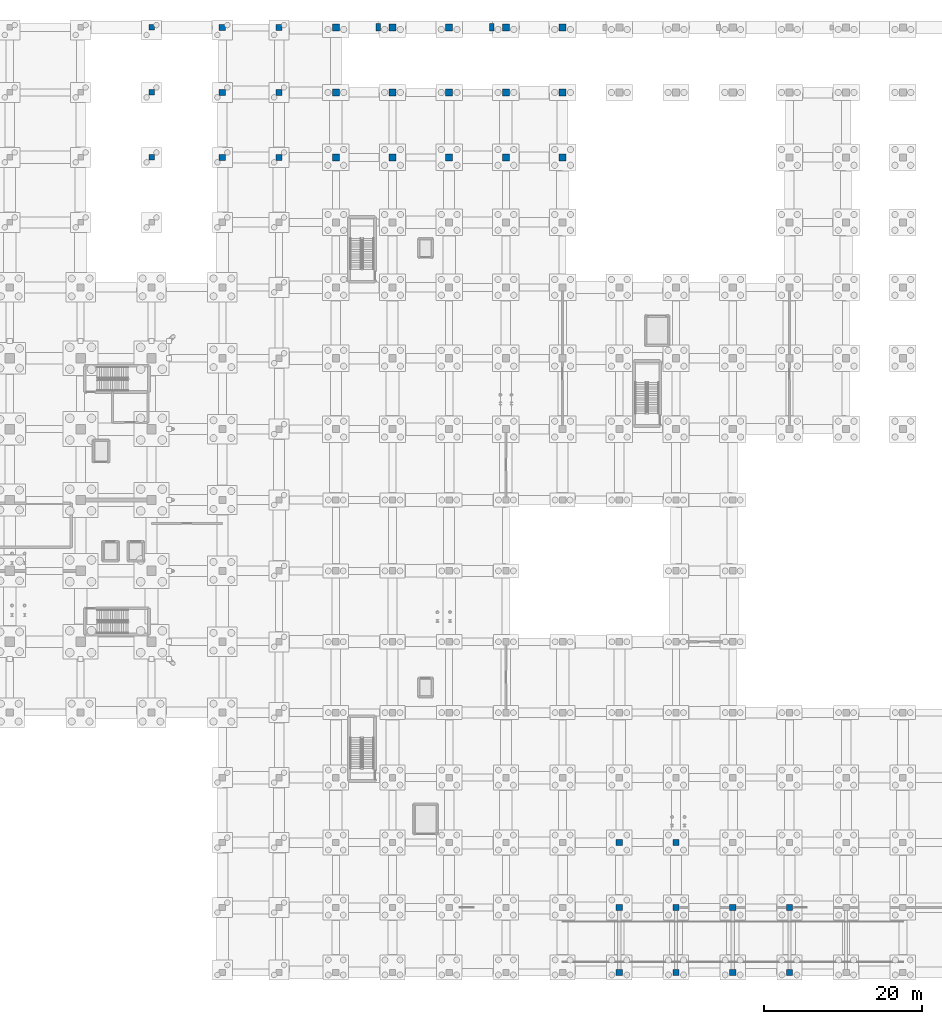
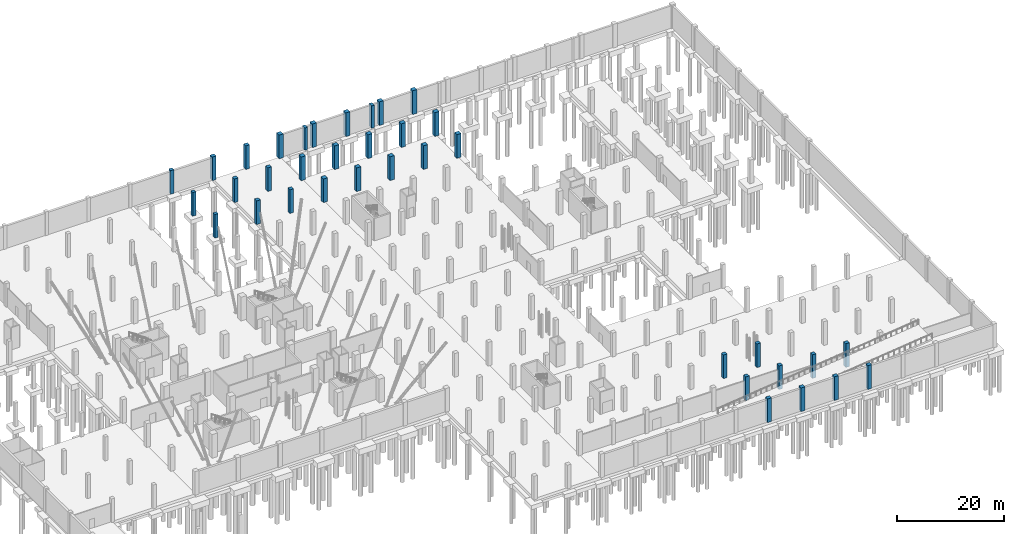
# One storey, part 18 of 42: 36 columns.
"""IFC4 building model written with IfcOpenShell, lengths in metres."""

import ifcopenshell
import ifcopenshell.guid

model = None  # the IFC model being written
_history = None  # IfcOwnerHistory: only IFC2X3 demands one
_inside = {}  # id of a spatial element -> (the spatial element, [elements in it])
_under = {}  # id of a project, library or spatial element -> (it, [spatial elements below it])
_declared = {}  # id of a project -> (the project, [libraries it declares])
_typed = {}  # id of a type object -> (the type object, [elements of that type])
_made_of = {}  # id of a material, layer set ... -> (it, [elements and type objects made of it])


def new_model(schema):
    """Start an empty IFC model of exactly this schema.

    Asked for "IFC4X3", IfcOpenShell would pick the latest addendum, in which some entities
    have other attributes; the version numbers below select the first issue.
    IFC2X3 requires an IfcOwnerHistory on every rooted entity: one is made here for all.
    """
    global model, _history
    if schema == "IFC4X3":
        model = ifcopenshell.file(schema_version=(4, 3, 0, 0))
    else:
        model = ifcopenshell.file(schema=schema)
    _inside.clear()
    _under.clear()
    _declared.clear()
    _typed.clear()
    _made_of.clear()
    _history = None
    if model.schema == "IFC2X3":
        org = make("IfcOrganization", Name="unknown")
        user = make(
            "IfcPersonAndOrganization",
            ThePerson=make("IfcPerson", FamilyName="unknown"),
            TheOrganization=org,
        )
        app = make(
            "IfcApplication",
            ApplicationDeveloper=org,
            Version="unknown",
            ApplicationFullName="unknown",
            ApplicationIdentifier="unknown",
        )
        _history = make(
            "IfcOwnerHistory",
            OwningUser=user,
            OwningApplication=app,
            ChangeAction="ADDED",
            CreationDate=0,
        )
    return model


def make(cls, **values):
    """One entity of the class cls with the attributes given. An attribute that is None is left unset."""
    return model.create_entity(
        cls, **{name: value for name, value in values.items() if value is not None}
    )


def rooted(cls, **values):
    """An entity with a GlobalId (a new one), such as an element, a storey or a relation."""
    return make(cls, GlobalId=ifcopenshell.guid.new(), OwnerHistory=_history, **values)


def si_unit(unit_type, name, prefix=None):
    """IfcSIUnit, for example si_unit("LENGTHUNIT", "METRE", prefix="MILLI")."""
    return make("IfcSIUnit", UnitType=unit_type, Prefix=prefix, Name=name)


def assignment(units):
    """IfcUnitAssignment: the units of a project."""
    return None if units is None else make("IfcUnitAssignment", Units=units)


def point(xyz):
    """IfcCartesianPoint."""
    return None if xyz is None else make("IfcCartesianPoint", Coordinates=xyz)


def direction(xyz):
    """IfcDirection."""
    return None if xyz is None else make("IfcDirection", DirectionRatios=xyz)


def frame(location, z_axis=None, x_axis=None):
    """IfcAxis2Placement3D, a coordinate frame: its origin and axes. An axis left out is left unset."""
    return make(
        "IfcAxis2Placement3D",
        Location=point(location),
        Axis=direction(z_axis),
        RefDirection=direction(x_axis),
    )


def frame_2d(location, x_axis=None):
    """IfcAxis2Placement2D, a coordinate frame in the plane: its origin and x axis."""
    return make(
        "IfcAxis2Placement2D", Location=point(location), RefDirection=direction(x_axis)
    )


def origin():
    """The frame at (0, 0, 0) with its axes left unset."""
    return frame((0.0, 0.0, 0.0))


def origin_2d():
    """The frame at (0, 0) in the plane with its x axis left unset."""
    return frame_2d((0.0, 0.0))


def place(relative_to, where):
    """IfcLocalPlacement: puts the frame where relative to a parent placement (None: the world)."""
    return make(
        "IfcLocalPlacement", PlacementRelTo=relative_to, RelativePlacement=where
    )


def context(
    kind, dimensions, precision=None, world=None, true_north=None, identifier=None
):
    """IfcGeometricRepresentationContext, for example the 3D "Model" context."""
    return make(
        "IfcGeometricRepresentationContext",
        ContextIdentifier=identifier,
        ContextType=kind,
        CoordinateSpaceDimension=dimensions,
        Precision=precision,
        WorldCoordinateSystem=world,
        TrueNorth=true_north,
    )


def subcontext(parent, identifier, kind, view, scale=None):
    """IfcGeometricRepresentationSubContext, for example "Body" below "Model"."""
    return make(
        "IfcGeometricRepresentationSubContext",
        ContextIdentifier=identifier,
        ContextType=kind,
        ParentContext=parent,
        TargetScale=scale,
        TargetView=view,
    )


def project(units=None, contexts=None):
    """IfcProject with its units and contexts."""
    return rooted(
        "IfcProject",
        Name="project",
        RepresentationContexts=contexts,
        UnitsInContext=assignment(units),
    )


def spatial(cls, under=None, at=None, **own):
    """A site, building, storey or space (cls), placed at a placement, below another one or the project."""
    s = rooted(cls, ObjectPlacement=at, **own)
    if under is not None:
        _under.setdefault(under.id(), (under, []))[1].append(s)
    return s


def profile(cls, at=None, kind="AREA", **sizes):
    """A parametric profile (cls). Its sizes go by their IFC names, for example OverallWidth=200.0."""
    return make(cls, ProfileType=kind, Position=at, **sizes)


def rectangle(**sizes):
    """IfcRectangleProfileDef."""
    return profile("IfcRectangleProfileDef", **sizes)


def extrude(swept, where, along, depth):
    """IfcExtrudedAreaSolid: the profile swept, set in the frame where, extruded along a direction by depth."""
    return make(
        "IfcExtrudedAreaSolid",
        SweptArea=swept,
        Position=where,
        ExtrudedDirection=direction(along),
        Depth=depth,
    )


def shape(context_of_items, identifier, shape_type, items):
    """IfcShapeRepresentation: the items that make up one representation, for example the "Body"."""
    return make(
        "IfcShapeRepresentation",
        ContextOfItems=context_of_items,
        RepresentationIdentifier=identifier,
        RepresentationType=shape_type,
        Items=items,
    )


def material(Name=None, Category=None):
    """IfcMaterial."""
    return make("IfcMaterial", Name=Name, Category=Category)


def material_profile(
    of_material, cross_section, Name=None, Category=None, Priority=None
):
    """IfcMaterialProfile: a cross section and its material."""
    return make(
        "IfcMaterialProfile",
        Name=Name,
        Material=of_material,
        Profile=cross_section,
        Priority=Priority,
        Category=Category,
    )


def profile_set(profiles, Name=None, composite=None):
    """IfcMaterialProfileSet."""
    return make(
        "IfcMaterialProfileSet",
        Name=Name,
        MaterialProfiles=profiles,
        CompositeProfile=composite,
    )


def made_of(thing, what):
    """Note that an element or type object is made of a material, layer set ...; save() writes the relation."""
    if what is not None:
        _made_of.setdefault(what.id(), (what, []))[1].append(thing)
    return thing


def type_object(cls, material=None, **own):
    """A type object (cls), such as IfcWallType, which elements share."""
    return made_of(rooted(cls, **own), material)


def element(
    cls,
    number,
    at=None,
    inside=None,
    cuts=None,
    type_object=None,
    material=None,
    context=None,
    identifier="Body",
    shape_type=None,
    held_by="IfcProductDefinitionShape",
    body=None,
    shapes=None,
    **own,
):
    """One element of the class cls, such as IfcWall. Its Tag is "e" and its number.

    at: its placement. inside: the storey or other place that contains it. cuts: it is an
    opening in that element (IfcRelVoidsElement). A single representation is given by context,
    identifier, shape_type and body (its items); several are given by shapes. held_by: the class
    of the entity that holds the representations. save() writes the other relations.
    """
    e = rooted(cls, Tag="e%d" % number, ObjectPlacement=at, **own)
    if body is not None:
        shapes = [shape(context, identifier, shape_type, body)]
    if shapes is not None:
        e.Representation = make(held_by, Representations=shapes)
    if inside is not None:
        _inside.setdefault(inside.id(), (inside, []))[1].append(e)
    if cuts is not None:
        rooted(
            "IfcRelVoidsElement", RelatingBuildingElement=cuts, RelatedOpeningElement=e
        )
    if type_object is not None:
        _typed.setdefault(type_object.id(), (type_object, []))[1].append(e)
    return made_of(e, material)


def aggregate(whole, parts):
    """IfcRelAggregates: a whole, such as a stair, and the parts it consists of."""
    return rooted("IfcRelAggregates", RelatingObject=whole, RelatedObjects=parts)


def save(model, path):
    """Write the relations noted so far, then the file.

    IfcRelAggregates (storeys below a building ...), IfcRelContainedInSpatialStructure (elements
    in a storey), IfcRelDefinesByType, IfcRelAssociatesMaterial and IfcRelDeclares: one each for
    every whole, place, type object, material and project.
    """
    for whole, parts in _under.values():
        aggregate(whole, parts)
    for where, things in _inside.values():
        rooted(
            "IfcRelContainedInSpatialStructure",
            RelatedElements=things,
            RelatingStructure=where,
        )
    for kind, things in _typed.values():
        rooted("IfcRelDefinesByType", RelatedObjects=things, RelatingType=kind)
    for what, things in _made_of.values():
        rooted("IfcRelAssociatesMaterial", RelatedObjects=things, RelatingMaterial=what)
    for by, libraries in _declared.values():
        rooted("IfcRelDeclares", RelatingContext=by, RelatedDefinitions=libraries)
    model.write(path)


model = new_model("IFC4")

# Units and contexts
model_context = context("Model", 3, precision=1e-05, world=origin(), true_north=direction((0.0, 1.0)))
body_context = subcontext(model_context, "Body", "Model", "MODEL_VIEW")
ifc_project = project(units=[si_unit("LENGTHUNIT", "METRE"), si_unit("AREAUNIT", "SQUARE_METRE"), si_unit("VOLUMEUNIT", "CUBIC_METRE"), si_unit("PLANEANGLEUNIT", "RADIAN"), si_unit("MASSUNIT", "GRAM", prefix="KILO")], contexts=[model_context])

# Site, building, storey
site_placement = place(None, origin())
site = spatial("IfcSite", under=ifc_project, at=site_placement, CompositionType="ELEMENT")
building_placement = place(site_placement, origin())
building = spatial("IfcBuilding", under=site, at=building_placement, Name="Sundgate Opera House", CompositionType="ELEMENT")
storey_placement = place(building_placement, frame((0.0, 0.0, -5.39990234375)))
storey = spatial("IfcBuildingStorey", under=building, at=storey_placement, Name="B01", CompositionType="ELEMENT", Elevation=-5.39990234375)

# Columns
ifc_material_1 = material(Name="Concrete C40/50", Category="concrete")
ifc_material_profile_1 = material_profile(ifc_material_1, rectangle(XDim=0.699951171875, YDim=0.699951171875, at=origin_2d()), Name="RC 700x700")
ifc_profile_set_1 = profile_set([ifc_material_profile_1], Name="Concrete C40/50")
column_type_1 = type_object("IfcColumnType", Name="CL-RC-700", PredefinedType="COLUMN", material=ifc_profile_set_1)
for number, where, z_axis, x_axis, name in (
    (1, (72.0, 103.5, 0.0), (0.0, 0.0, 1.0), (1.0, 0.0, 0.0), "B01 Column C0508"),
    (2, (72.0, 111.75, 0.0), (0.0, 0.0, 1.0), (1.0, 0.0, 0.0), "B01 Column C0511"),
    (3, (72.0, 120.0, 0.0), (0.0, 0.0, 1.0), (1.0, 0.0, 0.0), "B01 Column C0514"),
):
    element("IfcColumn", number, at=place(storey_placement, frame(where, z_axis=z_axis, x_axis=x_axis)), inside=storey, type_object=column_type_1, Name=name, PredefinedType="COLUMN", context=body_context, shape_type="SweptSolid", body=[
        extrude(rectangle(XDim=0.699951171875, YDim=0.699951171875, at=origin_2d()), origin(), (0.0, 0.0, 1.0), 5.39990234375),
    ])
ifc_material_2 = material(Name="Concrete C40/50", Category="concrete")
ifc_material_profile_2 = material_profile(ifc_material_2, rectangle(XDim=0.800048828125, YDim=0.800048828125, at=origin_2d()), Name="RC 800x800")
ifc_profile_set_2 = profile_set([ifc_material_profile_2], Name="Concrete C40/50")
column_type_2 = type_object("IfcColumnType", Name="CL-RC-800", PredefinedType="COLUMN", material=ifc_profile_set_2)
for number, where, z_axis, x_axis, name in (
    (4, (81.0, 103.5, 0.0), (0.0, 0.0, 1.0), (1.0, 0.0, 0.0), "B01 Column C0571"),
    (5, (81.0, 111.75, 0.0), (0.0, 0.0, 1.0), (1.0, 0.0, 0.0), "B01 Column C0574"),
    (6, (81.0, 120.0, 0.0), (0.0, 0.0, 1.0), (1.0, 0.0, 0.0), "B01 Column C0577"),
    (7, (88.199951171875, 103.5, 0.0), (0.0, 0.0, 1.0), (1.0, 0.0, 0.0), "B01 Column C0616"),
    (8, (88.199951171875, 111.75, 0.0), (0.0, 0.0, 1.0), (1.0, 0.0, 0.0), "B01 Column C0619"),
    (9, (88.199951171875, 120.0, 0.0), (0.0, 0.0, 1.0), (1.0, 0.0, 0.0), "B01 Column C0622"),
    (10, (131.39990234375, 0.0, 0.0), (0.0, 0.0, 1.0), (1.0, 0.0, 0.0), "B01 Column C0945"),
    (11, (131.39990234375, 8.25, 0.0), (0.0, 0.0, 1.0), (1.0, 0.0, 0.0), "B01 Column C0947"),
    (12, (131.39990234375, 16.5, 0.0), (0.0, 0.0, 1.0), (1.0, 0.0, 0.0), "B01 Column C0951"),
    (13, (138.60009765625, 0.0, 0.0), (0.0, 0.0, 1.0), (1.0, 0.0, 0.0), "B01 Column C0995"),
    (14, (138.60009765625, 8.25, 0.0), (0.0, 0.0, 1.0), (1.0, 0.0, 0.0), "B01 Column C0997"),
    (15, (138.60009765625, 16.5, 0.0), (0.0, 0.0, 1.0), (1.0, 0.0, 0.0), "B01 Column C1001"),
    (16, (145.800048828125, 0.0, 0.0), (0.0, 0.0, 1.0), (1.0, 0.0, 0.0), "B01 Column C1049"),
    (17, (145.800048828125, 8.25, 0.0), (0.0, 0.0, 1.0), (1.0, 0.0, 0.0), "B01 Column C1051"),
    (18, (153.0, 0.0, 0.0), (0.0, 0.0, 1.0), (1.0, 0.0, 0.0), "B01 Column C1103"),
    (19, (153.0, 8.25, 0.0), (0.0, 0.0, 1.0), (1.0, 0.0, 0.0), "B01 Column C1106"),
):
    element("IfcColumn", number, at=place(storey_placement, frame(where, z_axis=z_axis, x_axis=x_axis)), inside=storey, type_object=column_type_2, Name=name, PredefinedType="COLUMN", context=body_context, shape_type="SweptSolid", body=[
        extrude(rectangle(XDim=0.800048828125, YDim=0.800048828125, at=origin_2d()), origin(), (0.0, 0.0, 1.0), 5.39990234375),
    ])
ifc_material_3 = material(Name="Concrete C40/50", Category="concrete")
ifc_material_profile_3 = material_profile(ifc_material_3, rectangle(XDim=0.89990234375, YDim=0.89990234375, at=origin_2d()), Name="RC 900x900")
ifc_profile_set_3 = profile_set([ifc_material_profile_3], Name="Concrete C40/50")
column_type_3 = type_object("IfcColumnType", Name="CL-RC-900", PredefinedType="COLUMN", material=ifc_profile_set_3)
for number, where, z_axis, x_axis, name in (
    (20, (95.39990234375, 103.5, 0.0), (0.0, 0.0, 1.0), (1.0, 0.0, 0.0), "B01 Column C0680"),
    (21, (95.39990234375, 111.75, 0.0), (0.0, 0.0, 1.0), (1.0, 0.0, 0.0), "B01 Column C0686"),
    (22, (95.39990234375, 120.0, 0.0), (0.0, 0.0, 1.0), (1.0, 0.0, 0.0), "B01 Column C0690"),
    (23, (102.60009765625, 103.5, 0.0), (0.0, 0.0, 1.0), (1.0, 0.0, 0.0), "B01 Column C0744"),
    (24, (102.60009765625, 111.75, 0.0), (0.0, 0.0, 1.0), (1.0, 0.0, 0.0), "B01 Column C0750"),
    (25, (102.60009765625, 120.0, 0.0), (0.0, 0.0, 1.0), (1.0, 0.0, 0.0), "B01 Column C0754"),
    (26, (109.800048828125, 103.5, 0.0), (0.0, 0.0, 1.0), (1.0, 0.0, 0.0), "B01 Column C0805"),
    (27, (109.800048828125, 111.75, 0.0), (0.0, 0.0, 1.0), (1.0, 0.0, 0.0), "B01 Column C0811"),
    (28, (109.800048828125, 120.0, 0.0), (0.0, 0.0, 1.0), (1.0, 0.0, 0.0), "B01 Column C0815"),
    (29, (117.0, 103.5, 0.0), (0.0, 0.0, 1.0), (1.0, 0.0, 0.0), "B01 Column C0869"),
    (30, (117.0, 111.75, 0.0), (0.0, 0.0, 1.0), (1.0, 0.0, 0.0), "B01 Column C0875"),
    (31, (117.0, 120.0, 0.0), (0.0, 0.0, 1.0), (1.0, 0.0, 0.0), "B01 Column C0879"),
    (32, (124.199951171875, 103.5, 0.0), (0.0, 0.0, 1.0), (1.0, 0.0, 0.0), "B01 Column C0932"),
    (33, (124.199951171875, 111.75, 0.0), (0.0, 0.0, 1.0), (1.0, 0.0, 0.0), "B01 Column C0938"),
    (34, (124.199951171875, 120.0, 0.0), (0.0, 0.0, 1.0), (1.0, 0.0, 0.0), "B01 Column C0942"),
):
    element("IfcColumn", number, at=place(storey_placement, frame(where, z_axis=z_axis, x_axis=x_axis)), inside=storey, type_object=column_type_3, Name=name, PredefinedType="COLUMN", context=body_context, shape_type="SweptSolid", body=[
        extrude(rectangle(XDim=0.89990234375, YDim=0.89990234375, at=origin_2d()), origin(), (0.0, 0.0, 1.0), 5.39990234375),
    ])
ifc_material_4 = material(Name="Precast concrete C40/50", Category="concrete")
ifc_material_profile_4 = material_profile(ifc_material_4, rectangle(XDim=0.60009765625, YDim=0.949951171875, at=origin_2d()), Name="RC 600x950")
ifc_profile_set_4 = profile_set([ifc_material_profile_4], Name="Precast concrete C40/50")
column_type_4 = type_object("IfcColumnType", Name="PL-RC-600", PredefinedType="PILASTER", material=ifc_profile_set_4)
for number, where, z_axis, x_axis, name in (
    (35, (100.800048828125, 120.0, 0.0), (0.0, 0.0, 1.0), (1.0, 0.0, 0.0), "B01 Facade Pilaster C1249"),
    (36, (115.199951171875, 120.0, 0.0), (0.0, 0.0, 1.0), (1.0, 0.0, 0.0), "B01 Facade Pilaster C1252"),
):
    element("IfcColumn", number, at=place(storey_placement, frame(where, z_axis=z_axis, x_axis=x_axis)), inside=storey, type_object=column_type_4, Name=name, PredefinedType="PILASTER", context=body_context, shape_type="SweptSolid", body=[
        extrude(rectangle(XDim=0.60009765625, YDim=0.949951171875, at=origin_2d()), origin(), (0.0, 0.0, 1.0), 5.079833984375),
    ])

save(model, "model.ifc")
